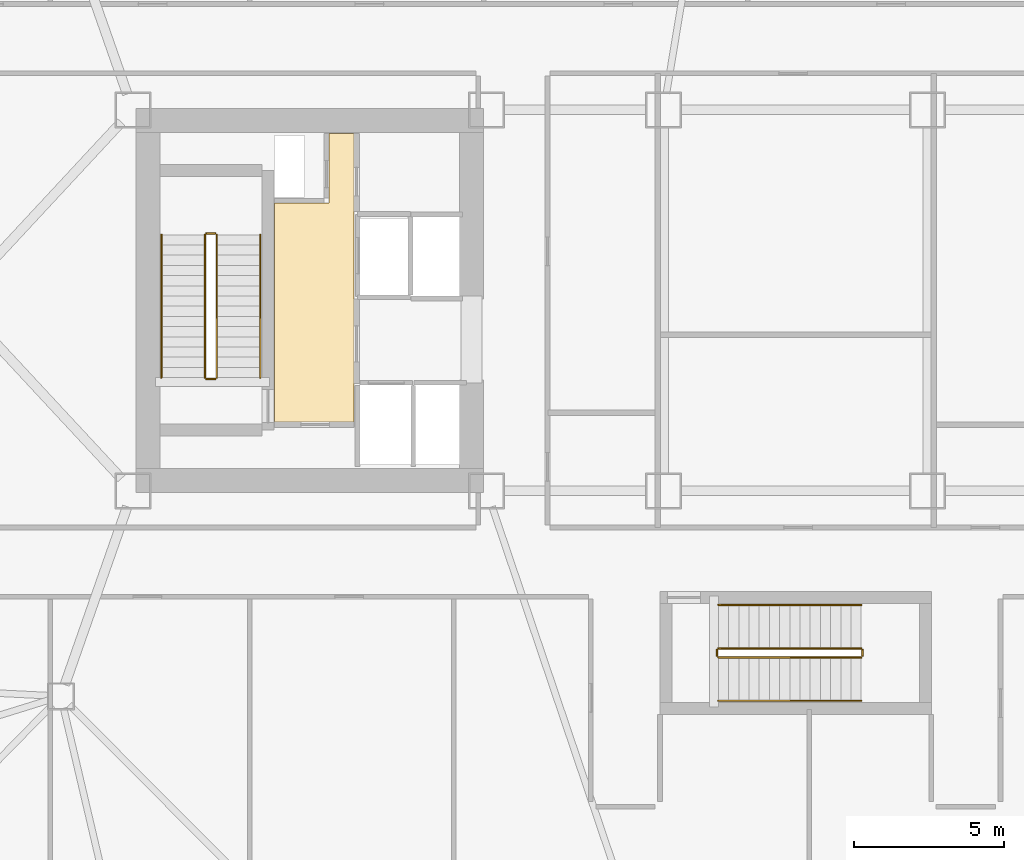
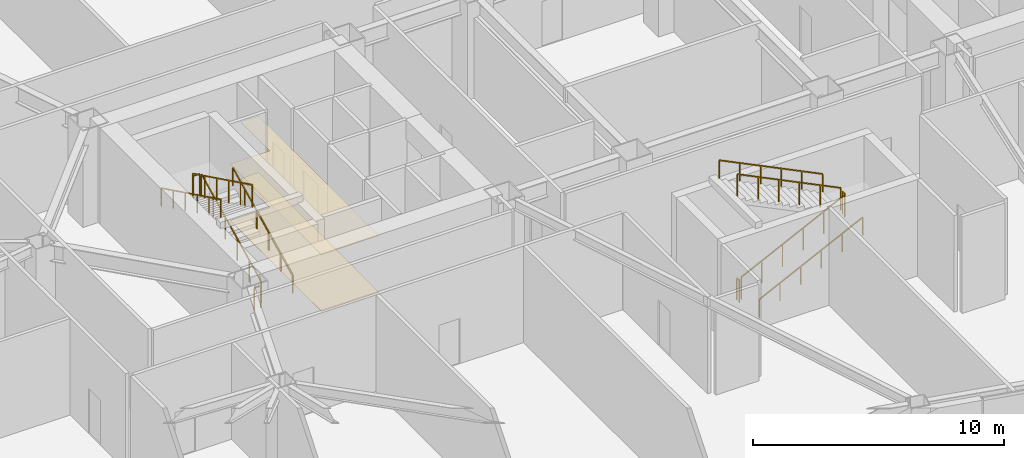
# One storey, part 19 of 20: 12 railings, 2 coverings.
"""IFC4 building model written with IfcOpenShell, lengths in metres."""

from ifc_helpers import new_model, si_unit, direction, frame, origin, origin_2d, place, context, subcontext, project, spatial, polyline, rectangle, outline, extrude, material, layer, layer_set, type_object, element, save


model = new_model("IFC4")

# Units and contexts
model_context = context("Model", 3, precision=1e-05, world=origin(), true_north=direction((0.0, 1.0)))
body_context = subcontext(model_context, "Body", "Model", "MODEL_VIEW")
ifc_project = project(units=[si_unit("LENGTHUNIT", "METRE"), si_unit("AREAUNIT", "SQUARE_METRE"), si_unit("VOLUMEUNIT", "CUBIC_METRE"), si_unit("PLANEANGLEUNIT", "RADIAN"), si_unit("MASSUNIT", "GRAM", prefix="KILO")], contexts=[model_context])

# Site, building, storey
site_placement = place(None, origin())
site = spatial("IfcSite", under=ifc_project, at=site_placement, CompositionType="ELEMENT")
building_placement = place(site_placement, origin())
building = spatial("IfcBuilding", under=site, at=building_placement, Name="Tavrogorsk Clinical Tower", CompositionType="ELEMENT")
storey_placement = place(building_placement, frame((0.0, 0.0, 13.39990234375)))
storey = spatial("IfcBuildingStorey", under=building, at=storey_placement, Name="L02", CompositionType="ELEMENT", Elevation=13.39990234375)

# Coverings
ifc_material_1 = material(Name="Antibacterial micro-perforated aluminium ceiling", Category="aluminium")
ifc_layer_1 = layer(ifc_material_1, 0.014892578125)
ifc_layer_set_1 = layer_set([ifc_layer_1], Name="Antibacterial micro-perforated aluminium ceiling")
covering_type_1 = type_object("IfcCoveringType", Name="ClinicalCeiling_15", PredefinedType="CEILING", material=ifc_layer_set_1)
covering_1_placement = place(storey_placement, frame((0.0, 0.0, 2.75)))
element("IfcCovering", 1, at=covering_1_placement, inside=storey, type_object=covering_type_1, Name="Core West Firefighting Lift Lobby Acoustic Ceiling", PredefinedType="CEILING", context=body_context, shape_type="SweptSolid", body=[
    extrude(outline(polyline([(-14.719970703125, 5.56005859375), (-14.719970703125, -4.06005859375), (-17.3798828125, -4.06005859375), (-17.3798828125, 3.239990234375), (-15.56005859375, 3.239990234375), (-15.56005859375, 5.56005859375), (-14.719970703125, 5.56005859375)])), origin(), (0.0, 0.0, 1.0), 0.01513671875),
])
ifc_material_2 = material(Name="Homogeneous medical conductive PVC flooring")
ifc_layer_2 = layer(ifc_material_2, 0.008056640625)
ifc_layer_set_2 = layer_set([ifc_layer_2], Name="Homogeneous medical conductive PVC flooring")
covering_type_2 = type_object("IfcCoveringType", Name="ResilientVinylFloor_8", PredefinedType="FLOORING", material=ifc_layer_set_2)
covering_2_placement = place(storey_placement, origin())
element("IfcCovering", 2, at=covering_2_placement, inside=storey, type_object=covering_type_2, Name="Core West Firefighting Lift Lobby Conductive Vinyl Flooring", PredefinedType="FLOORING", context=body_context, shape_type="SweptSolid", body=[
    extrude(outline(polyline([(-14.719970703125, 5.56005859375), (-14.719970703125, -4.06005859375), (-17.3798828125, -4.06005859375), (-17.3798828125, 3.239990234375), (-15.56005859375, 3.239990234375), (-15.56005859375, 5.56005859375), (-14.719970703125, 5.56005859375)])), origin(), (0.0, 0.0, 1.0), 0.008056640625),
])

# Railings
ifc_material_3 = material(Name="Galvanised steel S355 safety stairwell guard", Category="steel")
ifc_layer_3 = layer(ifc_material_3, 0.06005859375)
ifc_layer_set_3 = layer_set([ifc_layer_3], Name="Galvanised steel S355 safety stairwell guard")
railing_type_1 = type_object("IfcRailingType", Name="StairGuard_1150", PredefinedType="GUARDRAIL", material=ifc_layer_set_3)
railing_1_placement = place(storey_placement, frame((-19.300048828125, -2.574951171875, 0.166748046875)))
element("IfcRailing", 3, at=railing_1_placement, inside=storey, type_object=railing_type_1, Name="L02 ST-W stair guard 1", PredefinedType="GUARDRAIL", context=body_context, shape_type="SweptSolid", body=[
    extrude(rectangle(XDim=0.048095703125, YDim=0.048095703125, at=origin_2d()), frame((0.0, 0.0, 1.076171875), z_axis=(0.0, 0.897927146867, 0.440144111535), x_axis=(-1.0, 0.0, 0.0)), (0.0, 0.0, 1.0), 5.301025390625),
    extrude(rectangle(XDim=0.0419921875, YDim=0.0419921875, at=origin_2d()), origin(), (0.0, 0.0, 1.0), 1.052001953125),
    extrude(rectangle(XDim=0.0419921875, YDim=0.0419921875, at=origin_2d()), frame((0.0, 0.951904296875, 0.466552734375)), (0.0, 0.0, 1.0), 1.052001953125),
    extrude(rectangle(XDim=0.0419921875, YDim=0.0419921875, at=origin_2d()), frame((0.0, 1.904052734375, 0.933349609375)), (0.0, 0.0, 1.0), 1.052001953125),
    extrude(rectangle(XDim=0.0419921875, YDim=0.0419921875, at=origin_2d()), frame((0.0, 2.85595703125, 1.39990234375)), (0.0, 0.0, 1.0), 1.052001953125),
    extrude(rectangle(XDim=0.0419921875, YDim=0.0419921875, at=origin_2d()), frame((0.0, 3.80810546875, 1.86669921875)), (0.0, 0.0, 1.0), 1.052001953125),
    extrude(rectangle(XDim=0.0419921875, YDim=0.0419921875, at=origin_2d()), frame((0.0, 4.760009765625, 2.333251953125)), (0.0, 0.0, 1.0), 1.052001953125),
])
railing_2_placement = place(storey_placement, frame((-19.35009765625, 2.235107421875, 2.5)))
element("IfcRailing", 4, at=railing_2_placement, inside=storey, type_object=railing_type_1, Name="L02 ST-W stair guard 2", PredefinedType="GUARDRAIL", context=body_context, shape_type="SweptSolid", body=[
    extrude(rectangle(XDim=0.048095703125, YDim=0.048095703125, at=origin_2d()), frame((0.0, 0.0, 1.076171875), z_axis=(-1.0, 0.0, 0.0), x_axis=(0.0, -1.0, 0.0)), (0.0, 0.0, 1.0), 0.2998046875),
    extrude(rectangle(XDim=0.0419921875, YDim=0.0419921875, at=origin_2d()), origin(), (0.0, 0.0, 1.0), 1.052001953125),
    extrude(rectangle(XDim=0.0419921875, YDim=0.0419921875, at=origin_2d()), frame((-0.2998046875, 0.0, 0.0)), (0.0, 0.0, 1.0), 1.052001953125),
])
railing_3_placement = place(storey_placement, frame((-19.699951171875, 2.18505859375, 2.666748046875)))
element("IfcRailing", 5, at=railing_3_placement, inside=storey, type_object=railing_type_1, Name="L02 ST-W stair guard 3", PredefinedType="GUARDRAIL", context=body_context, shape_type="SweptSolid", body=[
    extrude(rectangle(XDim=0.048095703125, YDim=0.048095703125, at=origin_2d()), frame((0.0, 0.0, 1.076171875), z_axis=(0.0, -0.897927146867, 0.440144111535), x_axis=(1.0, 0.0, 0.0)), (0.0, 0.0, 1.0), 5.301025390625),
    extrude(rectangle(XDim=0.0419921875, YDim=0.0419921875, at=origin_2d()), origin(), (0.0, 0.0, 1.0), 1.052001953125),
    extrude(rectangle(XDim=0.0419921875, YDim=0.0419921875, at=origin_2d()), frame((0.0, -0.951904296875, 0.466552734375)), (0.0, 0.0, 1.0), 1.052001953125),
    extrude(rectangle(XDim=0.0419921875, YDim=0.0419921875, at=origin_2d()), frame((0.0, -1.904052734375, 0.933349609375)), (0.0, 0.0, 1.0), 1.052001953125),
    extrude(rectangle(XDim=0.0419921875, YDim=0.0419921875, at=origin_2d()), frame((0.0, -2.85595703125, 1.39990234375)), (0.0, 0.0, 1.0), 1.052001953125),
    extrude(rectangle(XDim=0.0419921875, YDim=0.0419921875, at=origin_2d()), frame((0.0, -3.80810546875, 1.86669921875)), (0.0, 0.0, 1.0), 1.052001953125),
    extrude(rectangle(XDim=0.0419921875, YDim=0.0419921875, at=origin_2d()), frame((0.0, -4.760009765625, 2.333251953125)), (0.0, 0.0, 1.0), 1.052001953125),
])
railing_4_placement = place(storey_placement, frame((-19.35009765625, -2.625, 0.0)))
element("IfcRailing", 6, at=railing_4_placement, inside=storey, type_object=railing_type_1, Name="L02 ST-W stair guard 4", PredefinedType="GUARDRAIL", context=body_context, shape_type="SweptSolid", body=[
    extrude(rectangle(XDim=0.048095703125, YDim=0.048095703125, at=origin_2d()), frame((0.0, 0.0, 1.076171875), z_axis=(-1.0, 0.0, 0.0), x_axis=(0.0, -1.0, 0.0)), (0.0, 0.0, 1.0), 0.2998046875),
    extrude(rectangle(XDim=0.0419921875, YDim=0.0419921875, at=origin_2d()), origin(), (0.0, 0.0, 1.0), 1.052001953125),
    extrude(rectangle(XDim=0.0419921875, YDim=0.0419921875, at=origin_2d()), frame((-0.2998046875, 0.0, 0.0)), (0.0, 0.0, 1.0), 1.052001953125),
])
railing_5_placement = place(storey_placement, frame((-2.574951171875, -11.89990234375, 0.166748046875)))
element("IfcRailing", 7, at=railing_5_placement, inside=storey, type_object=railing_type_1, Name="L02 ST-P stair guard 1", PredefinedType="GUARDRAIL", context=body_context, shape_type="SweptSolid", body=[
    extrude(rectangle(XDim=0.048095703125, YDim=0.048095703125, at=origin_2d()), frame((0.0, 0.0, 1.076171875), z_axis=(0.897927146867, 0.0, 0.440144111535), x_axis=(0.0, 1.0, 0.0)), (0.0, 0.0, 1.0), 5.301025390625),
    extrude(rectangle(XDim=0.0419921875, YDim=0.0419921875, at=origin_2d()), origin(), (0.0, 0.0, 1.0), 1.052001953125),
    extrude(rectangle(XDim=0.0419921875, YDim=0.0419921875, at=origin_2d()), frame((0.951904296875, 0.0, 0.466552734375)), (0.0, 0.0, 1.0), 1.052001953125),
    extrude(rectangle(XDim=0.0419921875, YDim=0.0419921875, at=origin_2d()), frame((1.904052734375, 0.0, 0.933349609375)), (0.0, 0.0, 1.0), 1.052001953125),
    extrude(rectangle(XDim=0.0419921875, YDim=0.0419921875, at=origin_2d()), frame((2.85595703125, 0.0, 1.39990234375)), (0.0, 0.0, 1.0), 1.052001953125),
    extrude(rectangle(XDim=0.0419921875, YDim=0.0419921875, at=origin_2d()), frame((3.80810546875, 0.0, 1.86669921875)), (0.0, 0.0, 1.0), 1.052001953125),
    extrude(rectangle(XDim=0.0419921875, YDim=0.0419921875, at=origin_2d()), frame((4.760009765625, 0.0, 2.333251953125)), (0.0, 0.0, 1.0), 1.052001953125),
])
railing_6_placement = place(storey_placement, frame((2.235107421875, -11.85009765625, 2.5)))
element("IfcRailing", 8, at=railing_6_placement, inside=storey, type_object=railing_type_1, Name="L02 ST-P stair guard 2", PredefinedType="GUARDRAIL", context=body_context, shape_type="SweptSolid", body=[
    extrude(rectangle(XDim=0.048095703125, YDim=0.048095703125, at=origin_2d()), frame((0.0, 0.0, 1.076171875), z_axis=(0.0, 1.0, 0.0), x_axis=(-1.0, 0.0, 0.0)), (0.0, 0.0, 1.0), 0.2001953125),
    extrude(rectangle(XDim=0.0419921875, YDim=0.0419921875, at=origin_2d()), origin(), (0.0, 0.0, 1.0), 1.052001953125),
    extrude(rectangle(XDim=0.0419921875, YDim=0.0419921875, at=origin_2d()), frame((0.0, 0.2001953125, 0.0)), (0.0, 0.0, 1.0), 1.052001953125),
])
railing_7_placement = place(storey_placement, frame((2.18505859375, -11.60009765625, 2.666748046875)))
element("IfcRailing", 9, at=railing_7_placement, inside=storey, type_object=railing_type_1, Name="L02 ST-P stair guard 3", PredefinedType="GUARDRAIL", context=body_context, shape_type="SweptSolid", body=[
    extrude(rectangle(XDim=0.048095703125, YDim=0.048095703125, at=origin_2d()), frame((0.0, 0.0, 1.076171875), z_axis=(-0.897927146867, 0.0, 0.440144111535), x_axis=(0.0, -1.0, 0.0)), (0.0, 0.0, 1.0), 5.301025390625),
    extrude(rectangle(XDim=0.0419921875, YDim=0.0419921875, at=origin_2d()), origin(), (0.0, 0.0, 1.0), 1.052001953125),
    extrude(rectangle(XDim=0.0419921875, YDim=0.0419921875, at=origin_2d()), frame((-0.951904296875, 0.0, 0.466552734375)), (0.0, 0.0, 1.0), 1.052001953125),
    extrude(rectangle(XDim=0.0419921875, YDim=0.0419921875, at=origin_2d()), frame((-1.904052734375, 0.0, 0.933349609375)), (0.0, 0.0, 1.0), 1.052001953125),
    extrude(rectangle(XDim=0.0419921875, YDim=0.0419921875, at=origin_2d()), frame((-2.85595703125, 0.0, 1.39990234375)), (0.0, 0.0, 1.0), 1.052001953125),
    extrude(rectangle(XDim=0.0419921875, YDim=0.0419921875, at=origin_2d()), frame((-3.80810546875, 0.0, 1.86669921875)), (0.0, 0.0, 1.0), 1.052001953125),
    extrude(rectangle(XDim=0.0419921875, YDim=0.0419921875, at=origin_2d()), frame((-4.760009765625, 0.0, 2.333251953125)), (0.0, 0.0, 1.0), 1.052001953125),
])
railing_8_placement = place(storey_placement, frame((-2.625, -11.85009765625, 0.0)))
element("IfcRailing", 10, at=railing_8_placement, inside=storey, type_object=railing_type_1, Name="L02 ST-P stair guard 4", PredefinedType="GUARDRAIL", context=body_context, shape_type="SweptSolid", body=[
    extrude(rectangle(XDim=0.048095703125, YDim=0.048095703125, at=origin_2d()), frame((0.0, 0.0, 1.076171875), z_axis=(0.0, 1.0, 0.0), x_axis=(-1.0, 0.0, 0.0)), (0.0, 0.0, 1.0), 0.2001953125),
    extrude(rectangle(XDim=0.0419921875, YDim=0.0419921875, at=origin_2d()), origin(), (0.0, 0.0, 1.0), 1.052001953125),
    extrude(rectangle(XDim=0.0419921875, YDim=0.0419921875, at=origin_2d()), frame((0.0, 0.2001953125, 0.0)), (0.0, 0.0, 1.0), 1.052001953125),
])
ifc_material_4 = material(Name="Stainless steel AISI 304 tubular handrail", Category="steel")
ifc_layer_4 = layer(ifc_material_4, 0.050048828125)
ifc_layer_set_4 = layer_set([ifc_layer_4], Name="Stainless steel AISI 304 tubular handrail")
railing_type_2 = type_object("IfcRailingType", Name="StairHandrail_920", PredefinedType="HANDRAIL", material=ifc_layer_set_4)
railing_9_placement = place(storey_placement, frame((-17.85009765625, -2.574951171875, 0.166748046875)))
element("IfcRailing", 11, at=railing_9_placement, inside=storey, type_object=railing_type_2, Name="L02 ST-W stair handrail 1", PredefinedType="HANDRAIL", context=body_context, shape_type="SweptSolid", body=[
    extrude(rectangle(XDim=0.048095703125, YDim=0.048095703125, at=origin_2d()), frame((0.0, 0.0, 0.8759765625), z_axis=(0.0, 0.897927146867, 0.440144111535), x_axis=(-1.0, 0.0, 0.0)), (0.0, 0.0, 1.0), 5.301025390625),
    extrude(rectangle(XDim=0.0419921875, YDim=0.0419921875, at=origin_2d()), origin(), (0.0, 0.0, 1.0), 0.851806640625),
    extrude(rectangle(XDim=0.0419921875, YDim=0.0419921875, at=origin_2d()), frame((0.0, 0.951904296875, 0.466552734375)), (0.0, 0.0, 1.0), 0.851806640625),
    extrude(rectangle(XDim=0.0419921875, YDim=0.0419921875, at=origin_2d()), frame((0.0, 1.904052734375, 0.933349609375)), (0.0, 0.0, 1.0), 0.851806640625),
    extrude(rectangle(XDim=0.0419921875, YDim=0.0419921875, at=origin_2d()), frame((0.0, 2.85595703125, 1.39990234375)), (0.0, 0.0, 1.0), 0.851806640625),
    extrude(rectangle(XDim=0.0419921875, YDim=0.0419921875, at=origin_2d()), frame((0.0, 3.80810546875, 1.86669921875)), (0.0, 0.0, 1.0), 0.851806640625),
    extrude(rectangle(XDim=0.0419921875, YDim=0.0419921875, at=origin_2d()), frame((0.0, 4.760009765625, 2.333251953125)), (0.0, 0.0, 1.0), 0.851806640625),
])
railing_10_placement = place(storey_placement, frame((-21.14990234375, 2.18505859375, 2.666748046875)))
element("IfcRailing", 12, at=railing_10_placement, inside=storey, type_object=railing_type_2, Name="L02 ST-W stair handrail 2", PredefinedType="HANDRAIL", context=body_context, shape_type="SweptSolid", body=[
    extrude(rectangle(XDim=0.048095703125, YDim=0.048095703125, at=origin_2d()), frame((0.0, 0.0, 0.8759765625), z_axis=(0.0, -0.897927146867, 0.440144111535), x_axis=(1.0, 0.0, 0.0)), (0.0, 0.0, 1.0), 5.301025390625),
    extrude(rectangle(XDim=0.0419921875, YDim=0.0419921875, at=origin_2d()), origin(), (0.0, 0.0, 1.0), 0.851806640625),
    extrude(rectangle(XDim=0.0419921875, YDim=0.0419921875, at=origin_2d()), frame((0.0, -0.951904296875, 0.466552734375)), (0.0, 0.0, 1.0), 0.851806640625),
    extrude(rectangle(XDim=0.0419921875, YDim=0.0419921875, at=origin_2d()), frame((0.0, -1.904052734375, 0.933349609375)), (0.0, 0.0, 1.0), 0.851806640625),
    extrude(rectangle(XDim=0.0419921875, YDim=0.0419921875, at=origin_2d()), frame((0.0, -2.85595703125, 1.39990234375)), (0.0, 0.0, 1.0), 0.851806640625),
    extrude(rectangle(XDim=0.0419921875, YDim=0.0419921875, at=origin_2d()), frame((0.0, -3.80810546875, 1.86669921875)), (0.0, 0.0, 1.0), 0.851806640625),
    extrude(rectangle(XDim=0.0419921875, YDim=0.0419921875, at=origin_2d()), frame((0.0, -4.760009765625, 2.333251953125)), (0.0, 0.0, 1.0), 0.851806640625),
])
railing_11_placement = place(storey_placement, frame((-2.574951171875, -13.35009765625, 0.166748046875)))
element("IfcRailing", 13, at=railing_11_placement, inside=storey, type_object=railing_type_2, Name="L02 ST-P stair handrail 1", PredefinedType="HANDRAIL", context=body_context, shape_type="SweptSolid", body=[
    extrude(rectangle(XDim=0.048095703125, YDim=0.048095703125, at=origin_2d()), frame((0.0, 0.0, 0.8759765625), z_axis=(0.897927146867, 0.0, 0.440144111535), x_axis=(0.0, 1.0, 0.0)), (0.0, 0.0, 1.0), 5.301025390625),
    extrude(rectangle(XDim=0.0419921875, YDim=0.0419921875, at=origin_2d()), origin(), (0.0, 0.0, 1.0), 0.851806640625),
    extrude(rectangle(XDim=0.0419921875, YDim=0.0419921875, at=origin_2d()), frame((0.951904296875, 0.0, 0.466552734375)), (0.0, 0.0, 1.0), 0.851806640625),
    extrude(rectangle(XDim=0.0419921875, YDim=0.0419921875, at=origin_2d()), frame((1.904052734375, 0.0, 0.933349609375)), (0.0, 0.0, 1.0), 0.851806640625),
    extrude(rectangle(XDim=0.0419921875, YDim=0.0419921875, at=origin_2d()), frame((2.85595703125, 0.0, 1.39990234375)), (0.0, 0.0, 1.0), 0.851806640625),
    extrude(rectangle(XDim=0.0419921875, YDim=0.0419921875, at=origin_2d()), frame((3.80810546875, 0.0, 1.86669921875)), (0.0, 0.0, 1.0), 0.851806640625),
    extrude(rectangle(XDim=0.0419921875, YDim=0.0419921875, at=origin_2d()), frame((4.760009765625, 0.0, 2.333251953125)), (0.0, 0.0, 1.0), 0.851806640625),
])
railing_12_placement = place(storey_placement, frame((2.18505859375, -10.14990234375, 2.666748046875)))
element("IfcRailing", 14, at=railing_12_placement, inside=storey, type_object=railing_type_2, Name="L02 ST-P stair handrail 2", PredefinedType="HANDRAIL", context=body_context, shape_type="SweptSolid", body=[
    extrude(rectangle(XDim=0.048095703125, YDim=0.048095703125, at=origin_2d()), frame((0.0, 0.0, 0.8759765625), z_axis=(-0.897927146867, 0.0, 0.440144111535), x_axis=(0.0, -1.0, 0.0)), (0.0, 0.0, 1.0), 5.301025390625),
    extrude(rectangle(XDim=0.0419921875, YDim=0.0419921875, at=origin_2d()), origin(), (0.0, 0.0, 1.0), 0.851806640625),
    extrude(rectangle(XDim=0.0419921875, YDim=0.0419921875, at=origin_2d()), frame((-0.951904296875, 0.0, 0.466552734375)), (0.0, 0.0, 1.0), 0.851806640625),
    extrude(rectangle(XDim=0.0419921875, YDim=0.0419921875, at=origin_2d()), frame((-1.904052734375, 0.0, 0.933349609375)), (0.0, 0.0, 1.0), 0.851806640625),
    extrude(rectangle(XDim=0.0419921875, YDim=0.0419921875, at=origin_2d()), frame((-2.85595703125, 0.0, 1.39990234375)), (0.0, 0.0, 1.0), 0.851806640625),
    extrude(rectangle(XDim=0.0419921875, YDim=0.0419921875, at=origin_2d()), frame((-3.80810546875, 0.0, 1.86669921875)), (0.0, 0.0, 1.0), 0.851806640625),
    extrude(rectangle(XDim=0.0419921875, YDim=0.0419921875, at=origin_2d()), frame((-4.760009765625, 0.0, 2.333251953125)), (0.0, 0.0, 1.0), 0.851806640625),
])

save(model, "model.ifc")
